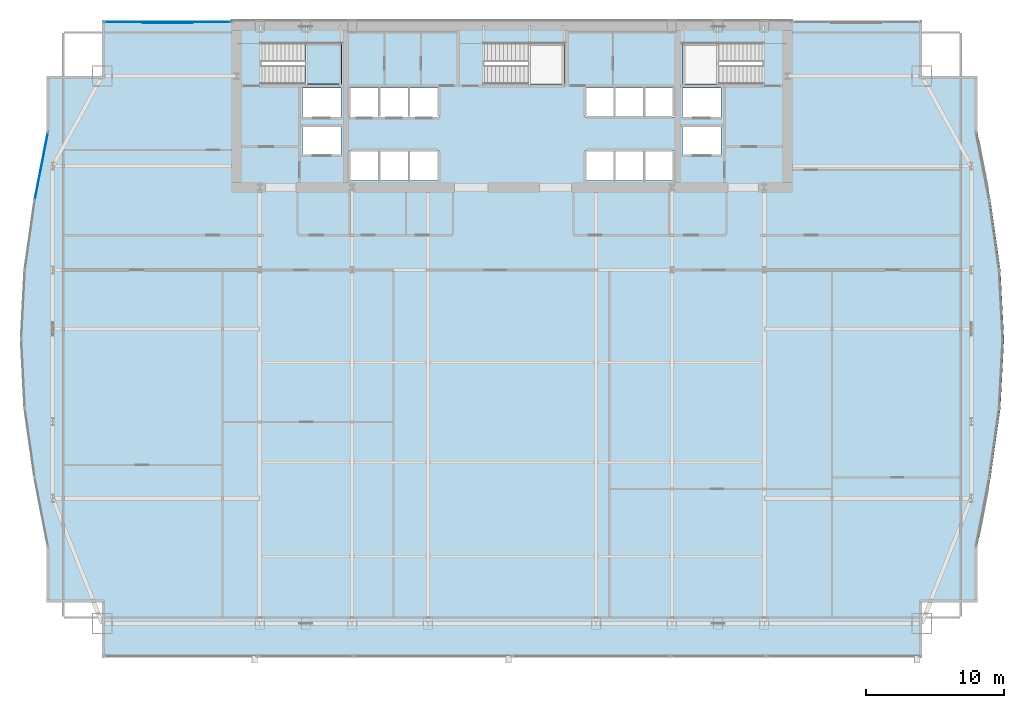
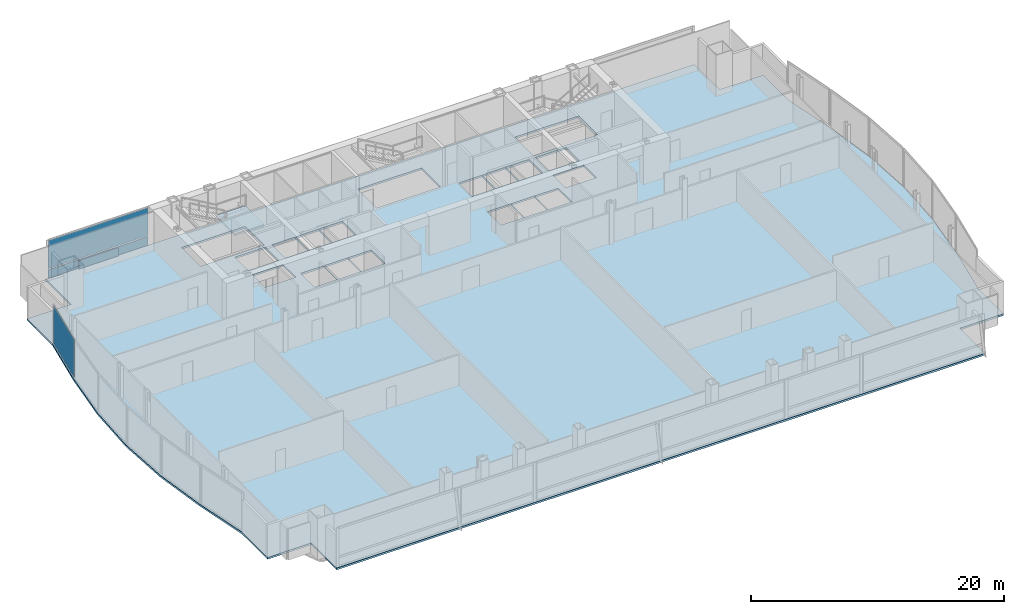
# One storey, part 26 of 34: 4 plates, 2 slabs, 3 elements without a shape of their own.
"""IFC4 building model written with IfcOpenShell, lengths in metres."""

from ifc_helpers import new_model, si_unit, direction, frame, origin, origin_2d, place, context, subcontext, project, spatial, polyline, rectangle, outline, extrude, material, layer, layer_set, type_object, element, aggregate, save


model = new_model("IFC4")

# Units and contexts
model_context = context("Model", 3, precision=1e-05, world=origin(), true_north=direction((0.0, 1.0)))
body_context = subcontext(model_context, "Body", "Model", "MODEL_VIEW")
ifc_project = project(units=[si_unit("LENGTHUNIT", "METRE"), si_unit("AREAUNIT", "SQUARE_METRE"), si_unit("VOLUMEUNIT", "CUBIC_METRE"), si_unit("PLANEANGLEUNIT", "RADIAN"), si_unit("MASSUNIT", "GRAM", prefix="KILO")], contexts=[model_context])

# Site, building, storey
site_placement = place(None, origin())
site = spatial("IfcSite", under=ifc_project, at=site_placement, CompositionType="ELEMENT")
building_placement = place(site_placement, origin())
building = spatial("IfcBuilding", under=site, at=building_placement, Name="Khoronbel Lancet Exchange", CompositionType="ELEMENT")
storey_placement = place(building_placement, frame((0.0, 0.0, 102.60009765625)))
storey = spatial("IfcBuildingStorey", under=building, at=storey_placement, Name="L24", CompositionType="ELEMENT", Elevation=102.60009765625)

# Curtain wall, plates
ifc_material_1 = material(Name="Low-E Solar Control Insulating Glass", Category="glass")
curtain_wall_type_1 = type_object("IfcCurtainWallType", Name="CW-2", PredefinedType="NOTDEFINED", material=ifc_material_1)
curtain_wall_1_placement = place(storey_placement, origin())
curtain_wall_1 = element("IfcCurtainWall", 1, at=curtain_wall_1_placement, inside=storey, type_object=curtain_wall_type_1, Name="Unitised curtain wall CW-L24-NWFLK", PredefinedType="NOTDEFINED")
ifc_material_2 = material(Name="Bronze-Anodised Aluminium 6063-T6", Category="aluminium")
ifc_layer_1 = layer(ifc_material_2, 0.050048828125, Name="Bronze-Anodised Aluminium 6063-T6")
ifc_layer_set_1 = layer_set([ifc_layer_1], Name="Bronze-Anodised Aluminium 6063-T6")
plate_type_1 = type_object("IfcPlateType", Name="PLT-CSP1", PredefinedType="SHEET", material=ifc_layer_set_1)
plate_1_placement = place(storey_placement, frame((11.580078125, 53.550048828125, 0.0498046875), z_axis=(0.0, 0.0, 1.0), x_axis=(-1.0, 0.0, 0.0)))
plate_1 = element("IfcPlate", 2, at=plate_1_placement, type_object=plate_type_1, Name="Insulated bronze spandrel cassette CW-L24-NWFLK", PredefinedType="SHEET", context=body_context, shape_type="SweptSolid", body=[
    extrude(rectangle(XDim=3.60009765625, YDim=0.050048828125, at=origin_2d()), origin(), (0.0, 0.0, 1.0), 0.800048828125),
])
ifc_layer_2 = layer(ifc_material_1, 0.035888671875, Name="Low-E Solar Control Insulating Glass")
ifc_layer_set_2 = layer_set([ifc_layer_2], Name="Low-E Solar Control Insulating Glass")
plate_type_2 = type_object("IfcPlateType", Name="PLT-CWP1", PredefinedType="CURTAIN_PANEL", material=ifc_layer_set_2)
plate_2_placement = place(storey_placement, frame((11.580078125, 53.610107421875, 0.0849609375), z_axis=(0.0, 0.0, 1.0), x_axis=(-1.0, 0.0, 0.0)))
plate_2 = element("IfcPlate", 3, at=plate_2_placement, type_object=plate_type_2, Name="CW2 panel 1.1", PredefinedType="CURTAIN_PANEL", context=body_context, shape_type="SweptSolid", body=[
    extrude(rectangle(XDim=9.110107421875, YDim=0.0380859375, at=origin_2d()), origin(), (0.0, 0.0, 1.0), 0.822509765625),
])
plate_3_placement = place(storey_placement, frame((11.580078125, 53.610107421875, 0.99267578125), z_axis=(0.0, 0.0, 1.0), x_axis=(-1.0, 0.0, 0.0)))
plate_3 = element("IfcPlate", 4, at=plate_3_placement, type_object=plate_type_2, Name="CW2 panel 1.2", PredefinedType="CURTAIN_PANEL", context=body_context, shape_type="SweptSolid", body=[
    extrude(rectangle(XDim=9.110107421875, YDim=0.0380859375, at=origin_2d()), origin(), (0.0, 0.0, 1.0), 2.722412109375),
])
aggregate(curtain_wall_1, [plate_2, plate_3, plate_1])

# Curtain wall, plate
curtain_wall_type_2 = type_object("IfcCurtainWallType", Name="CW-4", PredefinedType="NOTDEFINED", material=ifc_material_1)
curtain_wall_2_placement = place(storey_placement, origin())
curtain_wall_2 = element("IfcCurtainWall", 5, at=curtain_wall_2_placement, inside=storey, type_object=curtain_wall_type_2, Name="Unitised curtain wall CW-L24-E09", PredefinedType="NOTDEFINED")
ifc_material_3 = material(Name="Ceramic-Fritted Laminated Insulating Glass", Category="glass")
ifc_layer_3 = layer(ifc_material_3, 0.0419921875, Name="Ceramic-Fritted Laminated Insulating Glass")
ifc_layer_set_3 = layer_set([ifc_layer_3], Name="Ceramic-Fritted Laminated Insulating Glass")
plate_type_3 = type_object("IfcPlateType", Name="PLT-CWP2", PredefinedType="CURTAIN_PANEL", material=ifc_layer_set_3)
plate_4_placement = place(storey_placement, frame((2.454345703125, 43.188232421875, 0.0849609375), z_axis=(0.0, 0.0, 1.0), x_axis=(0.190426133595, 0.981701526761, 0.0)))
plate_4 = element("IfcPlate", 6, at=plate_4_placement, type_object=plate_type_3, Name="CW4 panel 1.1", PredefinedType="CURTAIN_PANEL", context=body_context, shape_type="SweptSolid", body=[
    extrude(rectangle(XDim=4.94970703125, YDim=0.0380859375, at=origin_2d()), origin(), (0.0, 0.0, 1.0), 3.6298828125),
])
aggregate(curtain_wall_2, [plate_4])

# Slab
ifc_material_4 = material(Name="Concrete C40/50", Category="concrete")
ifc_layer_4 = layer(ifc_material_4, 0.179931640625, Name="Concrete C40/50")
ifc_layer_set_4 = layer_set([ifc_layer_4], Name="Concrete C40/50")
slab_type_1 = type_object("IfcSlabType", Name="SL-FL180", PredefinedType="FLOOR", material=ifc_layer_set_4)
slab_1_placement = place(storey_placement, frame((0.0, 0.0, -0.18017578125)))
element("IfcSlab", 7, at=slab_1_placement, inside=storey, type_object=slab_type_1, Name="Level L24 composite structural floor slab", PredefinedType="FLOOR", context=body_context, shape_type="SweptSolid", body=[
    extrude(outline(polyline([(6.85009765625, 7.699951171875), (66.050048828125, 7.699951171875), (66.050048828125, 11.699951171875), (70.050048828125, 11.699951171875), (70.050048828125, 15.699951171875), (71.02001953125, 20.699951171875), (71.72998046875, 25.699951171875), (71.989990234375, 30.699951171875), (71.72998046875, 35.699951171875), (71.02001953125, 40.699951171875), (70.050048828125, 45.699951171875), (70.050048828125, 49.699951171875), (66.050048828125, 49.699951171875), (66.050048828125, 53.699951171875), (6.85009765625, 53.699951171875), (6.85009765625, 49.699951171875), (2.85009765625, 49.699951171875), (2.85009765625, 45.699951171875), (1.880126953125, 40.699951171875), (1.169921875, 35.699951171875), (0.91015625, 30.699951171875), (1.169921875, 25.699951171875), (1.880126953125, 20.699951171875), (2.85009765625, 15.699951171875), (2.85009765625, 11.699951171875), (6.85009765625, 11.699951171875), (6.85009765625, 7.699951171875)]), holes=[polyline([(18.324951171875, 49.1201171875), (24.14990234375, 49.1201171875), (24.14990234375, 52.10009765625), (18.324951171875, 52.10009765625), (18.324951171875, 49.1201171875)]), polyline([(48.75, 49.1201171875), (54.574951171875, 49.1201171875), (54.574951171875, 52.10009765625), (48.75, 52.10009765625), (48.75, 49.1201171875)]), polyline([(34.425048828125, 49.1201171875), (40.25, 49.1201171875), (40.25, 52.10009765625), (34.425048828125, 52.10009765625), (34.425048828125, 49.1201171875)]), polyline([(24.699951171875, 46.75), (26.840087890625, 46.75), (26.840087890625, 48.85009765625), (24.699951171875, 48.85009765625), (24.699951171875, 46.75)]), polyline([(26.860107421875, 46.75), (29.0, 46.75), (29.0, 48.85009765625), (26.860107421875, 48.85009765625), (26.860107421875, 46.75)]), polyline([(29.02001953125, 46.75), (31.159912109375, 46.75), (31.159912109375, 48.85009765625), (29.02001953125, 48.85009765625), (29.02001953125, 46.75)]), polyline([(24.699951171875, 42.14990234375), (26.840087890625, 42.14990234375), (26.840087890625, 44.300048828125), (24.699951171875, 44.300048828125), (24.699951171875, 42.14990234375)]), polyline([(26.860107421875, 42.14990234375), (29.0, 42.14990234375), (29.0, 44.300048828125), (26.860107421875, 44.300048828125), (26.860107421875, 42.14990234375)]), polyline([(29.02001953125, 42.14990234375), (31.159912109375, 42.14990234375), (31.159912109375, 44.300048828125), (29.02001953125, 44.300048828125), (29.02001953125, 42.14990234375)]), polyline([(41.739990234375, 46.75), (43.8798828125, 46.75), (43.8798828125, 48.85009765625), (41.739990234375, 48.85009765625), (41.739990234375, 46.75)]), polyline([(43.89990234375, 46.75), (46.0400390625, 46.75), (46.0400390625, 48.85009765625), (43.89990234375, 48.85009765625), (43.89990234375, 46.75)]), polyline([(46.06005859375, 46.75), (48.199951171875, 46.75), (48.199951171875, 48.85009765625), (46.06005859375, 48.85009765625), (46.06005859375, 46.75)]), polyline([(41.739990234375, 42.14990234375), (43.8798828125, 42.14990234375), (43.8798828125, 44.300048828125), (41.739990234375, 44.300048828125), (41.739990234375, 42.14990234375)]), polyline([(43.89990234375, 42.14990234375), (46.0400390625, 42.14990234375), (46.0400390625, 44.300048828125), (43.89990234375, 44.300048828125), (43.89990234375, 42.14990234375)]), polyline([(46.06005859375, 42.14990234375), (48.199951171875, 42.14990234375), (48.199951171875, 44.300048828125), (46.06005859375, 44.300048828125), (46.06005859375, 42.14990234375)]), polyline([(21.300048828125, 46.75), (24.10009765625, 46.75), (24.10009765625, 48.85009765625), (21.300048828125, 48.85009765625), (21.300048828125, 46.75)]), polyline([(48.75, 46.75), (51.550048828125, 46.75), (51.550048828125, 48.85009765625), (48.75, 48.85009765625), (48.75, 46.75)]), polyline([(21.300048828125, 44.050048828125), (24.10009765625, 44.050048828125), (24.10009765625, 46.050048828125), (21.300048828125, 46.050048828125), (21.300048828125, 44.050048828125)]), polyline([(48.75, 44.050048828125), (51.550048828125, 44.050048828125), (51.550048828125, 46.050048828125), (48.75, 46.050048828125), (48.75, 44.050048828125)])]), origin(), (0.0, 0.0, 1.0), 0.18017578125),
])

# Stair, slab
stair_type = type_object("IfcStairType", Name="STR-CORE150", PredefinedType="HALF_TURN_STAIR", material=ifc_material_4)
stair_placement = place(storey_placement, origin())
stair = element("IfcStair", 8, at=stair_placement, inside=storey, type_object=stair_type, Name="L24 Protected Exit Stair ST1", PredefinedType="HALF_TURN_STAIR")
ifc_layer_5 = layer(ifc_material_4, 0.199951171875, Name="Concrete C40/50")
ifc_layer_set_5 = layer_set([ifc_layer_5], Name="Concrete C40/50")
slab_type_2 = type_object("IfcSlabType", Name="SL-LND180", PredefinedType="LANDING", material=ifc_layer_set_5)
slab_2_placement = place(storey_placement, frame((0.0, 0.0, 1.7998046875)))
slab_2 = element("IfcSlab", 9, at=slab_2_placement, type_object=slab_type_2, Name="ST1 landing 1", PredefinedType="LANDING", context=body_context, shape_type="SweptSolid", body=[
    extrude(outline(polyline([(21.489990234375, 49.1201171875), (24.14990234375, 49.1201171875), (24.14990234375, 52.10009765625), (21.489990234375, 52.10009765625), (21.489990234375, 49.1201171875)])), origin(), (0.0, 0.0, 1.0), 0.2001953125),
])
aggregate(stair, [slab_2])

save(model, "model.ifc")
